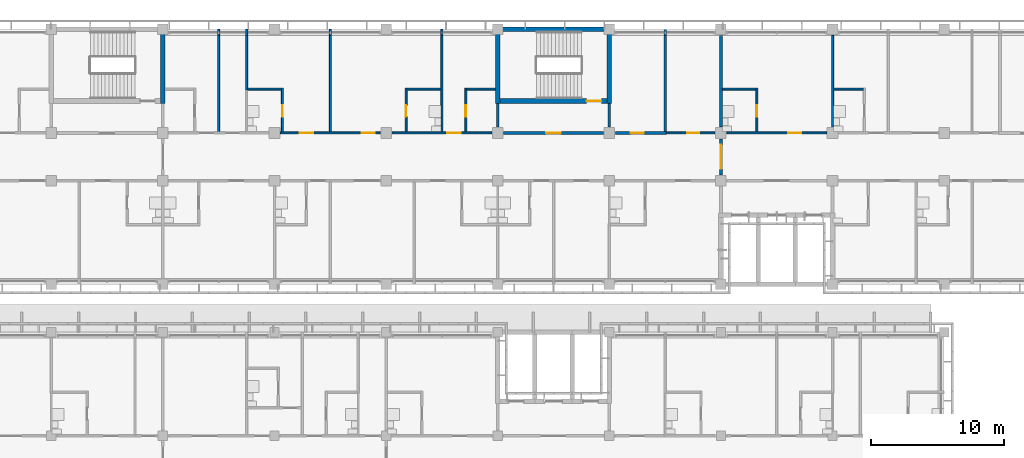
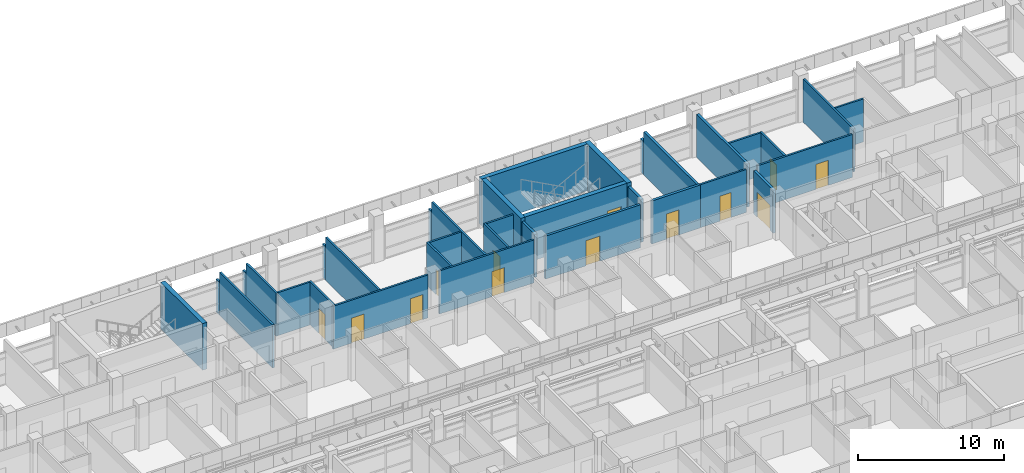
# One storey, part 38 of 71: 35 walls, 13 doors, 13 openings.
"""IFC4 building model written with IfcOpenShell, lengths in metres."""

from ifc_helpers import new_model, si_unit, direction, frame, frame_2d, origin, place, context, subcontext, project, spatial, rectangle, extrude, material, layer, layer_set, type_object, element, fill, save


model = new_model("IFC4")

# Units and contexts
model_context = context("Model", 3, precision=1e-05, world=origin(), true_north=direction((0.0, 1.0)))
body_context = subcontext(model_context, "Body", "Model", "MODEL_VIEW")
ifc_project = project(units=[si_unit("LENGTHUNIT", "METRE"), si_unit("AREAUNIT", "SQUARE_METRE"), si_unit("VOLUMEUNIT", "CUBIC_METRE"), si_unit("PLANEANGLEUNIT", "RADIAN"), si_unit("MASSUNIT", "GRAM", prefix="KILO")], contexts=[model_context])

# Site, building, storey
site_placement = place(None, origin())
site = spatial("IfcSite", under=ifc_project, at=site_placement, CompositionType="ELEMENT")
building_placement = place(site_placement, origin())
building = spatial("IfcBuilding", under=site, at=building_placement, Name="Bougainvillea Quay General Hospital", CompositionType="ELEMENT")
storey_placement = place(building_placement, frame((0.0, 0.0, 24.89990234375)))
storey = spatial("IfcBuildingStorey", under=building, at=storey_placement, Name="L05", CompositionType="ELEMENT", Elevation=24.89990234375)

# Walls
ifc_material_1 = material(Name="Gypsum board partition on steel studs, insulated", Category="steel")
ifc_layer_1 = layer(ifc_material_1, 0.14990234375)
ifc_layer_set_1 = layer_set([ifc_layer_1], Name="Gypsum board partition on steel studs, insulated")
wall_type_1 = type_object("IfcWallType", Name="Partition 150 Gypsum board partition", PredefinedType="PARTITIONING", material=ifc_layer_set_1)
wall_1_placement = place(storey_placement, frame((113.39990234375, 151.875, 0.0), z_axis=(0.0, 0.0, 1.0), x_axis=(0.0, 1.0, 0.0)))
element("IfcWall", 1, at=wall_1_placement, inside=storey, type_object=wall_type_1, Name="Partition 150 mm", PredefinedType="PARTITIONING", context=body_context, shape_type="SweptSolid", body=[
    extrude(rectangle(XDim=7.27490234375, YDim=0.14990234375, at=frame_2d((3.637451171875, 0.0))), origin(), (0.0, 0.0, 1.0), 3.60009765625),
])
wall_2_placement = place(storey_placement, frame((113.39990234375, 159.14990234375, 0.0), z_axis=(0.0, 0.0, 1.0), x_axis=(0.0, 1.0, 0.0)))
element("IfcWall", 2, at=wall_2_placement, inside=storey, type_object=wall_type_1, Name="Partition 150 mm", PredefinedType="PARTITIONING", context=body_context, shape_type="SweptSolid", body=[
    extrude(rectangle(XDim=0.4501953125, YDim=0.14990234375, at=frame_2d((0.22509765625, 0.0))), origin(), (0.0, 0.0, 1.0), 2.780029296875),
])
wall_3_placement = place(storey_placement, frame((121.800048828125, 151.875, 0.0), z_axis=(0.0, 0.0, 1.0), x_axis=(0.0, 1.0, 0.0)))
element("IfcWall", 3, at=wall_3_placement, inside=storey, type_object=wall_type_1, Name="Partition 150 mm", PredefinedType="PARTITIONING", context=body_context, shape_type="SweptSolid", body=[
    extrude(rectangle(XDim=7.27490234375, YDim=0.14990234375, at=frame_2d((3.637451171875, 0.0))), origin(), (0.0, 0.0, 1.0), 3.60009765625),
])
wall_4_placement = place(storey_placement, frame((121.800048828125, 159.14990234375, 0.0), z_axis=(0.0, 0.0, 1.0), x_axis=(0.0, 1.0, 0.0)))
element("IfcWall", 4, at=wall_4_placement, inside=storey, type_object=wall_type_1, Name="Partition 150 mm", PredefinedType="PARTITIONING", context=body_context, shape_type="SweptSolid", body=[
    extrude(rectangle(XDim=0.4501953125, YDim=0.14990234375, at=frame_2d((0.22509765625, 0.0))), origin(), (0.0, 0.0, 1.0), 2.780029296875),
])
wall_5_placement = place(storey_placement, frame((130.199951171875, 151.875, 0.0), z_axis=(0.0, 0.0, 1.0), x_axis=(0.0, 1.0, 0.0)))
element("IfcWall", 5, at=wall_5_placement, inside=storey, type_object=wall_type_1, Name="Partition 150 mm", PredefinedType="PARTITIONING", context=body_context, shape_type="SweptSolid", body=[
    extrude(rectangle(XDim=7.27490234375, YDim=0.14990234375, at=frame_2d((3.637451171875, 0.0))), origin(), (0.0, 0.0, 1.0), 3.60009765625),
])
wall_6_placement = place(storey_placement, frame((130.199951171875, 159.14990234375, 0.0), z_axis=(0.0, 0.0, 1.0), x_axis=(0.0, 1.0, 0.0)))
element("IfcWall", 6, at=wall_6_placement, inside=storey, type_object=wall_type_1, Name="Partition 150 mm", PredefinedType="PARTITIONING", context=body_context, shape_type="SweptSolid", body=[
    extrude(rectangle(XDim=0.4501953125, YDim=0.14990234375, at=frame_2d((0.22509765625, 0.0))), origin(), (0.0, 0.0, 1.0), 2.780029296875),
])
wall_7_placement = place(storey_placement, frame((159.60009765625, 152.25, 0.0), z_axis=(0.0, 0.0, 1.0), x_axis=(0.0, 1.0, 0.0)))
element("IfcWall", 7, at=wall_7_placement, inside=storey, type_object=wall_type_1, Name="Partition 150 mm", PredefinedType="PARTITIONING", context=body_context, shape_type="SweptSolid", body=[
    extrude(rectangle(XDim=6.89990234375, YDim=0.14990234375, at=frame_2d((3.449951171875, 0.0))), origin(), (0.0, 0.0, 1.0), 3.60009765625),
])
wall_8_placement = place(storey_placement, frame((115.5, 155.02490234375, 0.0), z_axis=(0.0, 0.0, 1.0), x_axis=(0.0, 1.0, 0.0)))
element("IfcWall", 8, at=wall_8_placement, inside=storey, type_object=wall_type_1, Name="Partition 150 mm", PredefinedType="PARTITIONING", context=body_context, shape_type="SweptSolid", body=[
    extrude(rectangle(XDim=4.125, YDim=0.14990234375, at=frame_2d((2.0625, 0.0))), origin(), (0.0, 0.0, 1.0), 3.60009765625),
])
wall_9_placement = place(storey_placement, frame((115.5, 159.14990234375, 0.0), z_axis=(0.0, 0.0, 1.0), x_axis=(0.0, 1.0, 0.0)))
element("IfcWall", 9, at=wall_9_placement, inside=storey, type_object=wall_type_1, Name="Partition 150 mm", PredefinedType="PARTITIONING", context=body_context, shape_type="SweptSolid", body=[
    extrude(rectangle(XDim=0.4501953125, YDim=0.14990234375, at=frame_2d((0.22509765625, 0.0))), origin(), (0.0, 0.0, 1.0), 2.780029296875),
])

# Wall, opening, door
wall_10_placement = place(storey_placement, frame((118.199951171875, 151.875, 0.0), z_axis=(0.0, 0.0, 1.0), x_axis=(0.0, 1.0, 0.0)))
wall_10 = element("IfcWall", 10, at=wall_10_placement, inside=storey, type_object=wall_type_1, Name="Partition 150 mm", PredefinedType="PARTITIONING", context=body_context, shape_type="SweptSolid", body=[
    extrude(rectangle(XDim=3.300048828125, YDim=0.14990234375, at=frame_2d((1.64990234375, 0.0))), origin(), (0.0, 0.0, 1.0), 3.60009765625),
])
opening_1_placement = place(wall_10_placement, frame((1.125, 0.0, 0.0)))
opening_1 = element("IfcOpeningElement", 11, at=opening_1_placement, cuts=wall_10, Name="Opening L05.047", PredefinedType="OPENING", context=body_context, shape_type="SweptSolid", body=[
    extrude(rectangle(XDim=0.89990234375, YDim=2.10009765625, at=frame_2d((0.449951171875, 1.050048828125))), frame((0.0, 0.0849609375, 0.0), z_axis=(0.0, -1.0, 0.0), x_axis=(1.0, 0.0, 0.0)), (0.0, 0.0, 1.0), 0.169921875),
])
ifc_material_2 = material(Name="Solid-core timber door leaf in steel frame", Category="steel")
door_type_1 = type_object("IfcDoorType", Name="Single leaf door 900x2100", OperationType="NOTDEFINED", PredefinedType="DOOR", material=ifc_material_2)
door_1_placement = place(opening_1_placement, origin())
door_1 = element("IfcDoor", 12, at=door_1_placement, inside=storey, type_object=door_type_1, Name="DT07 L05.047", OperationType="SINGLE_SWING_LEFT", OverallHeight=2.10009765625, OverallWidth=0.89990234375, PredefinedType="DOOR", context=body_context, shape_type="SweptSolid", body=[
    extrude(rectangle(XDim=0.89990234375, YDim=2.10009765625, at=frame_2d((0.449951171875, 1.050048828125))), frame((0.0, 0.02490234375, 0.0), z_axis=(0.0, -1.0, 0.0), x_axis=(1.0, 0.0, 0.0)), (0.0, 0.0, 1.0), 0.050048828125),
])
fill(opening_1, door_1)

wall_11_placement = place(storey_placement, frame((127.5, 151.875, 0.0), z_axis=(0.0, 0.0, 1.0), x_axis=(0.0, 1.0, 0.0)))
wall_11 = element("IfcWall", 13, at=wall_11_placement, inside=storey, type_object=wall_type_1, Name="Partition 150 mm", PredefinedType="PARTITIONING", context=body_context, shape_type="SweptSolid", body=[
    extrude(rectangle(XDim=3.300048828125, YDim=0.14990234375, at=frame_2d((1.64990234375, 0.0))), origin(), (0.0, 0.0, 1.0), 3.60009765625),
])
opening_2_placement = place(wall_11_placement, frame((1.125, 0.0, 0.0)))
opening_2 = element("IfcOpeningElement", 14, at=opening_2_placement, cuts=wall_11, Name="Opening L05.049", PredefinedType="OPENING", context=body_context, shape_type="SweptSolid", body=[
    extrude(rectangle(XDim=0.89990234375, YDim=2.10009765625, at=frame_2d((0.449951171875, 1.050048828125))), frame((0.0, 0.0849609375, 0.0), z_axis=(0.0, -1.0, 0.0), x_axis=(1.0, 0.0, 0.0)), (0.0, 0.0, 1.0), 0.169921875),
])
door_2_placement = place(opening_2_placement, frame((0.89990234375, 0.0, 0.0), z_axis=(0.0, 0.0, 1.0), x_axis=(-1.0, 0.0, 0.0)))
door_2 = element("IfcDoor", 15, at=door_2_placement, inside=storey, type_object=door_type_1, Name="DT07 L05.049", OperationType="SINGLE_SWING_RIGHT", OverallHeight=2.10009765625, OverallWidth=0.89990234375, PredefinedType="DOOR", context=body_context, shape_type="SweptSolid", body=[
    extrude(rectangle(XDim=0.89990234375, YDim=2.10009765625, at=frame_2d((0.449951171875, 1.050048828125))), frame((0.0, 0.02490234375, 0.0), z_axis=(0.0, -1.0, 0.0), x_axis=(1.0, 0.0, 0.0)), (0.0, 0.0, 1.0), 0.050048828125),
])
fill(opening_2, door_2)

wall_12_placement = place(storey_placement, frame((132.0, 151.875, 0.0), z_axis=(0.0, 0.0, 1.0), x_axis=(0.0, 1.0, 0.0)))
wall_12 = element("IfcWall", 16, at=wall_12_placement, inside=storey, type_object=wall_type_1, Name="Partition 150 mm", PredefinedType="PARTITIONING", context=body_context, shape_type="SweptSolid", body=[
    extrude(rectangle(XDim=3.300048828125, YDim=0.14990234375, at=frame_2d((1.64990234375, 0.0))), origin(), (0.0, 0.0, 1.0), 3.60009765625),
])
opening_3_placement = place(wall_12_placement, frame((1.125, 0.0, 0.0)))
opening_3 = element("IfcOpeningElement", 17, at=opening_3_placement, cuts=wall_12, Name="Opening L05.051", PredefinedType="OPENING", context=body_context, shape_type="SweptSolid", body=[
    extrude(rectangle(XDim=0.89990234375, YDim=2.10009765625, at=frame_2d((0.449951171875, 1.050048828125))), frame((0.0, 0.0849609375, 0.0), z_axis=(0.0, -1.0, 0.0), x_axis=(1.0, 0.0, 0.0)), (0.0, 0.0, 1.0), 0.169921875),
])
door_3_placement = place(opening_3_placement, frame((0.89990234375, 0.0, 0.0), z_axis=(0.0, 0.0, 1.0), x_axis=(-1.0, 0.0, 0.0)))
door_3 = element("IfcDoor", 18, at=door_3_placement, inside=storey, type_object=door_type_1, Name="DT07 L05.051", OperationType="SINGLE_SWING_RIGHT", OverallHeight=2.10009765625, OverallWidth=0.89990234375, PredefinedType="DOOR", context=body_context, shape_type="SweptSolid", body=[
    extrude(rectangle(XDim=0.89990234375, YDim=2.10009765625, at=frame_2d((0.449951171875, 1.050048828125))), frame((0.0, 0.02490234375, 0.0), z_axis=(0.0, -1.0, 0.0), x_axis=(1.0, 0.0, 0.0)), (0.0, 0.0, 1.0), 0.050048828125),
])
fill(opening_3, door_3)

wall_13_placement = place(storey_placement, frame((153.89990234375, 151.875, 0.0), z_axis=(0.0, 0.0, 1.0), x_axis=(0.0, 1.0, 0.0)))
wall_13 = element("IfcWall", 19, at=wall_13_placement, inside=storey, type_object=wall_type_1, Name="Partition 150 mm", PredefinedType="PARTITIONING", context=body_context, shape_type="SweptSolid", body=[
    extrude(rectangle(XDim=3.300048828125, YDim=0.14990234375, at=frame_2d((1.64990234375, 0.0))), origin(), (0.0, 0.0, 1.0), 3.60009765625),
])
opening_4_placement = place(wall_13_placement, frame((1.125, 0.0, 0.0)))
opening_4 = element("IfcOpeningElement", 20, at=opening_4_placement, cuts=wall_13, Name="Opening L05.054", PredefinedType="OPENING", context=body_context, shape_type="SweptSolid", body=[
    extrude(rectangle(XDim=0.89990234375, YDim=2.10009765625, at=frame_2d((0.449951171875, 1.050048828125))), frame((0.0, 0.0849609375, 0.0), z_axis=(0.0, -1.0, 0.0), x_axis=(1.0, 0.0, 0.0)), (0.0, 0.0, 1.0), 0.169921875),
])
door_4_placement = place(opening_4_placement, origin())
door_4 = element("IfcDoor", 21, at=door_4_placement, inside=storey, type_object=door_type_1, Name="DT07 L05.054", OperationType="SINGLE_SWING_LEFT", OverallHeight=2.10009765625, OverallWidth=0.89990234375, PredefinedType="DOOR", context=body_context, shape_type="SweptSolid", body=[
    extrude(rectangle(XDim=0.89990234375, YDim=2.10009765625, at=frame_2d((0.449951171875, 1.050048828125))), frame((0.0, 0.02490234375, 0.0), z_axis=(0.0, -1.0, 0.0), x_axis=(1.0, 0.0, 0.0)), (0.0, 0.0, 1.0), 0.050048828125),
])
fill(opening_4, door_4)

# Walls
wall_14_placement = place(storey_placement, frame((151.300048828125, 155.10009765625, 0.0), z_axis=(0.0, 0.0, 1.0), x_axis=(1.0, 0.0, 0.0)))
element("IfcWall", 22, at=wall_14_placement, inside=storey, type_object=wall_type_1, Name="Partition 150 mm", PredefinedType="PARTITIONING", context=body_context, shape_type="SweptSolid", body=[
    extrude(rectangle(XDim=2.52490234375, YDim=0.14990234375, at=frame_2d((1.262451171875, 0.0))), origin(), (0.0, 0.0, 1.0), 3.60009765625),
])
for number, where, z_axis, x_axis, name in (
    (23, (115.574951171875, 155.10009765625, 0.0), (0.0, 0.0, 1.0), (1.0, 0.0, 0.0), "Partition 150 mm"),
    (24, (127.574951171875, 155.10009765625, 0.0), (0.0, 0.0, 1.0), (1.0, 0.0, 0.0), "Partition 150 mm"),
):
    element("IfcWall", number, at=place(storey_placement, frame(where, z_axis=z_axis, x_axis=x_axis)), inside=storey, type_object=wall_type_1, Name=name, PredefinedType="PARTITIONING", context=body_context, shape_type="SweptSolid", body=[
        extrude(rectangle(XDim=2.550048828125, YDim=0.14990234375, at=frame_2d((1.27490234375, 0.0))), origin(), (0.0, 0.0, 1.0), 3.60009765625),
    ])
wall_15_placement = place(storey_placement, frame((132.074951171875, 155.10009765625, 0.0), z_axis=(0.0, 0.0, 1.0), x_axis=(1.0, 0.0, 0.0)))
element("IfcWall", 25, at=wall_15_placement, inside=storey, type_object=wall_type_1, Name="Partition 150 mm", PredefinedType="PARTITIONING", context=body_context, shape_type="SweptSolid", body=[
    extrude(rectangle(XDim=2.150146484375, YDim=0.14990234375, at=frame_2d((1.0751953125, 0.0))), origin(), (0.0, 0.0, 1.0), 3.60009765625),
])
wall_16_placement = place(storey_placement, frame((159.675048828125, 155.10009765625, 0.0), z_axis=(0.0, 0.0, 1.0), x_axis=(1.0, 0.0, 0.0)))
element("IfcWall", 26, at=wall_16_placement, inside=storey, type_object=wall_type_1, Name="Partition 150 mm", PredefinedType="PARTITIONING", context=body_context, shape_type="SweptSolid", body=[
    extrude(rectangle(XDim=2.25, YDim=0.14990234375, at=frame_2d((1.125, 0.0))), origin(), (0.0, 0.0, 1.0), 3.60009765625),
])

# Wall, opening, door
ifc_layer_2 = layer(ifc_material_1, 0.14990234375)
ifc_layer_set_2 = layer_set([ifc_layer_2], Name="Gypsum board partition on steel studs, insulated")
wall_type_2 = type_object("IfcWallType", Name="Partition 150 Gypsum board partition EI 30", PredefinedType="PARTITIONING", material=ifc_layer_set_2)
wall_17_placement = place(storey_placement, frame((133.949951171875, 151.800048828125, 0.0), z_axis=(0.0, 0.0, 1.0), x_axis=(-1.0, 0.0, 0.0)))
wall_17 = element("IfcWall", 27, at=wall_17_placement, inside=storey, type_object=wall_type_2, Name="Partition 150 mm EI 30", PredefinedType="PARTITIONING", context=body_context, shape_type="SweptSolid", body=[
    extrude(rectangle(XDim=7.5, YDim=0.14990234375, at=frame_2d((3.75, 0.0))), origin(), (0.0, 0.0, 1.0), 3.60009765625),
])
opening_5_placement = place(wall_17_placement, frame((2.35009765625, 0.0, 0.0)))
opening_5 = element("IfcOpeningElement", 28, at=opening_5_placement, cuts=wall_17, Name="Opening L05.050", PredefinedType="OPENING", context=body_context, shape_type="SweptSolid", body=[
    extrude(rectangle(XDim=1.0, YDim=2.10009765625, at=frame_2d((0.5, 1.050048828125))), frame((0.0, 0.0849609375, 0.0), z_axis=(0.0, -1.0, 0.0), x_axis=(1.0, 0.0, 0.0)), (0.0, 0.0, 1.0), 0.169921875),
])
door_type_2 = type_object("IfcDoorType", Name="Single leaf door 1000x2100 FD30S", OperationType="NOTDEFINED", PredefinedType="DOOR", material=ifc_material_2)
door_5_placement = place(opening_5_placement, frame((1.0, 0.0, 0.0), z_axis=(0.0, 0.0, 1.0), x_axis=(-1.0, 0.0, 0.0)))
door_5 = element("IfcDoor", 29, at=door_5_placement, inside=storey, type_object=door_type_2, Name="DT15 L05.050", OperationType="SINGLE_SWING_RIGHT", OverallHeight=2.10009765625, OverallWidth=1.0, PredefinedType="DOOR", context=body_context, shape_type="SweptSolid", body=[
    extrude(rectangle(XDim=1.0, YDim=2.10009765625, at=frame_2d((0.5, 1.050048828125))), frame((0.0, 0.02490234375, 0.0), z_axis=(0.0, -1.0, 0.0), x_axis=(1.0, 0.0, 0.0)), (0.0, 0.0, 1.0), 0.050048828125),
])
fill(opening_5, door_5)

# Wall, openings, doors
wall_18_placement = place(storey_placement, frame((125.550048828125, 151.800048828125, 0.0), z_axis=(0.0, 0.0, 1.0), x_axis=(-1.0, 0.0, 0.0)))
wall_18 = element("IfcWall", 30, at=wall_18_placement, inside=storey, type_object=wall_type_2, Name="Partition 150 mm EI 30", PredefinedType="PARTITIONING", context=body_context, shape_type="SweptSolid", body=[
    extrude(rectangle(XDim=7.5, YDim=0.14990234375, at=frame_2d((3.75, 0.0))), origin(), (0.0, 0.0, 1.0), 3.60009765625),
])
opening_6_placement = place(wall_18_placement, frame((5.050048828125, 0.0, 0.0)))
opening_6 = element("IfcOpeningElement", 31, at=opening_6_placement, cuts=wall_18, Name="Opening L05.046", PredefinedType="OPENING", context=body_context, shape_type="SweptSolid", body=[
    extrude(rectangle(XDim=1.0, YDim=2.10009765625, at=frame_2d((0.5, 1.050048828125))), frame((0.0, 0.0849609375, 0.0), z_axis=(0.0, -1.0, 0.0), x_axis=(1.0, 0.0, 0.0)), (0.0, 0.0, 1.0), 0.169921875),
])
opening_7_placement = place(wall_18_placement, frame((0.39990234375, 0.0, 0.0)))
opening_7 = element("IfcOpeningElement", 32, at=opening_7_placement, cuts=wall_18, Name="Opening L05.048", PredefinedType="OPENING", context=body_context, shape_type="SweptSolid", body=[
    extrude(rectangle(XDim=1.0, YDim=2.10009765625, at=frame_2d((0.5, 1.050048828125))), frame((0.0, 0.0849609375, 0.0), z_axis=(0.0, -1.0, 0.0), x_axis=(1.0, 0.0, 0.0)), (0.0, 0.0, 1.0), 0.169921875),
])
door_6_placement = place(opening_6_placement, frame((1.0, 0.0, 0.0), z_axis=(0.0, 0.0, 1.0), x_axis=(-1.0, 0.0, 0.0)))
door_6 = element("IfcDoor", 33, at=door_6_placement, inside=storey, type_object=door_type_2, Name="DT15 L05.046", OperationType="SINGLE_SWING_LEFT", OverallHeight=2.10009765625, OverallWidth=1.0, PredefinedType="DOOR", context=body_context, shape_type="SweptSolid", body=[
    extrude(rectangle(XDim=1.0, YDim=2.10009765625, at=frame_2d((0.5, 1.050048828125))), frame((0.0, 0.02490234375, 0.0), z_axis=(0.0, -1.0, 0.0), x_axis=(1.0, 0.0, 0.0)), (0.0, 0.0, 1.0), 0.050048828125),
])
fill(opening_6, door_6)
door_7_placement = place(opening_7_placement, frame((1.0, 0.0, 0.0), z_axis=(0.0, 0.0, 1.0), x_axis=(-1.0, 0.0, 0.0)))
door_7 = element("IfcDoor", 34, at=door_7_placement, inside=storey, type_object=door_type_2, Name="DT15 L05.048", OperationType="SINGLE_SWING_RIGHT", OverallHeight=2.10009765625, OverallWidth=1.0, PredefinedType="DOOR", context=body_context, shape_type="SweptSolid", body=[
    extrude(rectangle(XDim=1.0, YDim=2.10009765625, at=frame_2d((0.5, 1.050048828125))), frame((0.0, 0.02490234375, 0.0), z_axis=(0.0, -1.0, 0.0), x_axis=(1.0, 0.0, 0.0)), (0.0, 0.0, 1.0), 0.050048828125),
])
fill(opening_7, door_7)

# Wall, opening, door
wall_19_placement = place(storey_placement, frame((159.14990234375, 151.800048828125, 0.0), z_axis=(0.0, 0.0, 1.0), x_axis=(-1.0, 0.0, 0.0)))
wall_19 = element("IfcWall", 35, at=wall_19_placement, inside=storey, type_object=wall_type_2, Name="Partition 150 mm EI 30", PredefinedType="PARTITIONING", context=body_context, shape_type="SweptSolid", body=[
    extrude(rectangle(XDim=7.5, YDim=0.14990234375, at=frame_2d((3.75, 0.0))), origin(), (0.0, 0.0, 1.0), 3.60009765625),
])
opening_8_placement = place(wall_19_placement, frame((1.89990234375, 0.0, 0.0)))
opening_8 = element("IfcOpeningElement", 36, at=opening_8_placement, cuts=wall_19, Name="Opening L05.053", PredefinedType="OPENING", context=body_context, shape_type="SweptSolid", body=[
    extrude(rectangle(XDim=1.0, YDim=2.10009765625, at=frame_2d((0.5, 1.050048828125))), frame((0.0, 0.0849609375, 0.0), z_axis=(0.0, -1.0, 0.0), x_axis=(1.0, 0.0, 0.0)), (0.0, 0.0, 1.0), 0.169921875),
])
door_8_placement = place(opening_8_placement, frame((1.0, 0.0, 0.0), z_axis=(0.0, 0.0, 1.0), x_axis=(-1.0, 0.0, 0.0)))
door_8 = element("IfcDoor", 37, at=door_8_placement, inside=storey, type_object=door_type_2, Name="DT15 L05.053", OperationType="SINGLE_SWING_RIGHT", OverallHeight=2.10009765625, OverallWidth=1.0, PredefinedType="DOOR", context=body_context, shape_type="SweptSolid", body=[
    extrude(rectangle(XDim=1.0, YDim=2.10009765625, at=frame_2d((0.5, 1.050048828125))), frame((0.0, 0.02490234375, 0.0), z_axis=(0.0, -1.0, 0.0), x_axis=(1.0, 0.0, 0.0)), (0.0, 0.0, 1.0), 0.050048828125),
])
fill(opening_8, door_8)

ifc_layer_3 = layer(ifc_material_1, 0.14990234375)
ifc_layer_set_3 = layer_set([ifc_layer_3], Name="Gypsum board partition on steel studs, insulated")
wall_type_3 = type_object("IfcWallType", Name="Partition 150 Gypsum board partition EI 60", PredefinedType="PARTITIONING", material=ifc_layer_set_3)
wall_20_placement = place(storey_placement, frame((147.10009765625, 151.800048828125, 0.0), z_axis=(0.0, 0.0, 1.0), x_axis=(1.0, 0.0, 0.0)))
wall_20 = element("IfcWall", 38, at=wall_20_placement, inside=storey, type_object=wall_type_3, Name="Partition 150 mm EI 60", PredefinedType="PARTITIONING", context=body_context, shape_type="SweptSolid", body=[
    extrude(rectangle(XDim=3.64990234375, YDim=0.14990234375, at=frame_2d((1.824951171875, 0.0))), origin(), (0.0, 0.0, 1.0), 3.60009765625),
])
opening_9_placement = place(wall_20_placement, frame((1.550048828125, 0.0, 0.0)))
opening_9 = element("IfcOpeningElement", 39, at=opening_9_placement, cuts=wall_20, Name="Opening L05.052", PredefinedType="OPENING", context=body_context, shape_type="SweptSolid", body=[
    extrude(rectangle(XDim=0.89990234375, YDim=2.10009765625, at=frame_2d((0.449951171875, 1.050048828125))), frame((0.0, 0.0849609375, 0.0), z_axis=(0.0, -1.0, 0.0), x_axis=(1.0, 0.0, 0.0)), (0.0, 0.0, 1.0), 0.169921875),
])
door_type_3 = type_object("IfcDoorType", Name="Single leaf door 900x2100 FD60", OperationType="NOTDEFINED", PredefinedType="DOOR", material=ifc_material_2)
door_9_placement = place(opening_9_placement, origin())
door_9 = element("IfcDoor", 40, at=door_9_placement, inside=storey, type_object=door_type_3, Name="DT18 L05.052", OperationType="SINGLE_SWING_RIGHT", OverallHeight=2.10009765625, OverallWidth=0.89990234375, PredefinedType="DOOR", context=body_context, shape_type="SweptSolid", body=[
    extrude(rectangle(XDim=0.89990234375, YDim=2.10009765625, at=frame_2d((0.449951171875, 1.050048828125))), frame((0.0, 0.02490234375, 0.0), z_axis=(0.0, -1.0, 0.0), x_axis=(1.0, 0.0, 0.0)), (0.0, 0.0, 1.0), 0.050048828125),
])
fill(opening_9, door_9)

# Wall
ifc_material_3 = material(Name="Fire-rated autoclaved aerated block wall, plastered")
ifc_layer_4 = layer(ifc_material_3, 0.199951171875)
ifc_layer_set_4 = layer_set([ifc_layer_4], Name="Fire-rated autoclaved aerated block wall, plastered")
wall_type_4 = type_object("IfcWallType", Name="Partition 200 Fire-rated autoclaved aerated block wall EI 120", PredefinedType="SOLIDWALL", material=ifc_layer_set_4)
wall_21_placement = place(storey_placement, frame((151.199951171875, 159.14990234375, 0.0), z_axis=(0.0, 0.0, 1.0), x_axis=(0.0, -1.0, 0.0)))
element("IfcWall", 41, at=wall_21_placement, inside=storey, type_object=wall_type_4, Name="Partition 200 mm EI 120", PredefinedType="SOLIDWALL", context=body_context, shape_type="SweptSolid", body=[
    extrude(rectangle(XDim=6.89990234375, YDim=0.199951171875, at=frame_2d((3.449951171875, 0.0))), origin(), (0.0, 0.0, 1.0), 3.60009765625),
])

# Wall, opening, door
wall_22_placement = place(storey_placement, frame((151.199951171875, 151.35009765625, 0.0), z_axis=(0.0, 0.0, 1.0), x_axis=(0.0, -1.0, 0.0)))
wall_22 = element("IfcWall", 42, at=wall_22_placement, inside=storey, type_object=wall_type_4, Name="Partition 200 mm EI 120", PredefinedType="SOLIDWALL", context=body_context, shape_type="SweptSolid", body=[
    extrude(rectangle(XDim=2.7001953125, YDim=0.199951171875, at=frame_2d((1.35009765625, 0.0))), origin(), (0.0, 0.0, 1.0), 3.60009765625),
])
opening_10_placement = place(wall_22_placement, frame((0.449951171875, 0.0, 0.0)))
opening_10 = element("IfcOpeningElement", 43, at=opening_10_placement, cuts=wall_22, Name="Opening L05.003", PredefinedType="OPENING", context=body_context, shape_type="SweptSolid", body=[
    extrude(rectangle(XDim=1.800048828125, YDim=2.10009765625, at=frame_2d((0.89990234375, 1.050048828125))), frame((0.0, 0.10986328125, 0.0), z_axis=(0.0, -1.0, 0.0), x_axis=(1.0, 0.0, 0.0)), (0.0, 0.0, 1.0), 0.219970703125),
])
ifc_material_4 = material(Name="Steel fire door leaves in steel frame", Category="steel")
door_type_4 = type_object("IfcDoorType", Name="Steel double leaf door 1800x2100 FD90", OperationType="DOUBLE_DOOR_SINGLE_SWING", PredefinedType="DOOR", material=ifc_material_4)
door_10_placement = place(opening_10_placement, origin())
door_10 = element("IfcDoor", 44, at=door_10_placement, inside=storey, type_object=door_type_4, Name="DT03 L05.003", OperationType="DOUBLE_DOOR_SINGLE_SWING", OverallHeight=2.10009765625, OverallWidth=1.800048828125, PredefinedType="DOOR", context=body_context, shape_type="SweptSolid", body=[
    extrude(rectangle(XDim=1.800048828125, YDim=2.10009765625, at=frame_2d((0.89990234375, 1.050048828125))), frame((0.0, 0.02490234375, 0.0), z_axis=(0.0, -1.0, 0.0), x_axis=(1.0, 0.0, 0.0)), (0.0, 0.0, 1.0), 0.050048828125),
])
fill(opening_10, door_10)

wall_23_placement = place(storey_placement, frame((134.85009765625, 151.800048828125, 0.0), z_axis=(0.0, 0.0, 1.0), x_axis=(1.0, 0.0, 0.0)))
wall_23 = element("IfcWall", 45, at=wall_23_placement, inside=storey, type_object=wall_type_4, Name="Partition 200 mm EI 120", PredefinedType="SOLIDWALL", context=body_context, shape_type="SweptSolid", body=[
    extrude(rectangle(XDim=7.5, YDim=0.199951171875, at=frame_2d((3.75, 0.0))), origin(), (0.0, 0.0, 1.0), 3.60009765625),
])
opening_11_placement = place(wall_23_placement, frame((3.199951171875, 0.0, 0.0)))
opening_11 = element("IfcOpeningElement", 46, at=opening_11_placement, cuts=wall_23, Name="Opening L05.154", PredefinedType="OPENING", context=body_context, shape_type="SweptSolid", body=[
    extrude(rectangle(XDim=1.10009765625, YDim=2.10009765625, at=frame_2d((0.550048828125, 1.050048828125))), frame((0.0, 0.10986328125, 0.0), z_axis=(0.0, -1.0, 0.0), x_axis=(1.0, 0.0, 0.0)), (0.0, 0.0, 1.0), 0.219970703125),
])
ifc_material_5 = material(Name="Steel fire door leaf in steel frame", Category="steel")
door_type_5 = type_object("IfcDoorType", Name="Steel single leaf door 1100x2100 FD60", OperationType="NOTDEFINED", PredefinedType="DOOR", material=ifc_material_5)
door_11_placement = place(opening_11_placement, origin())
door_11 = element("IfcDoor", 47, at=door_11_placement, inside=storey, type_object=door_type_5, Name="DT04 L05.154", OperationType="SINGLE_SWING_RIGHT", OverallHeight=2.10009765625, OverallWidth=1.10009765625, PredefinedType="DOOR", context=body_context, shape_type="SweptSolid", body=[
    extrude(rectangle(XDim=1.10009765625, YDim=2.10009765625, at=frame_2d((0.550048828125, 1.050048828125))), frame((0.0, 0.02490234375, 0.0), z_axis=(0.0, -1.0, 0.0), x_axis=(1.0, 0.0, 0.0)), (0.0, 0.0, 1.0), 0.050048828125),
])
fill(opening_11, door_11)

wall_24_placement = place(storey_placement, frame((143.25, 151.800048828125, 0.0), z_axis=(0.0, 0.0, 1.0), x_axis=(1.0, 0.0, 0.0)))
wall_24 = element("IfcWall", 48, at=wall_24_placement, inside=storey, type_object=wall_type_4, Name="Partition 200 mm EI 120", PredefinedType="SOLIDWALL", context=body_context, shape_type="SweptSolid", body=[
    extrude(rectangle(XDim=3.85009765625, YDim=0.199951171875, at=frame_2d((1.925048828125, 0.0))), origin(), (0.0, 0.0, 1.0), 3.60009765625),
])
opening_12_placement = place(wall_24_placement, frame((1.14990234375, 0.0, 0.0)))
opening_12 = element("IfcOpeningElement", 49, at=opening_12_placement, cuts=wall_24, Name="Opening L05.070", PredefinedType="OPENING", context=body_context, shape_type="SweptSolid", body=[
    extrude(rectangle(XDim=1.0, YDim=2.10009765625, at=frame_2d((0.5, 1.050048828125))), frame((0.0, 0.10986328125, 0.0), z_axis=(0.0, -1.0, 0.0), x_axis=(1.0, 0.0, 0.0)), (0.0, 0.0, 1.0), 0.219970703125),
])
door_type_6 = type_object("IfcDoorType", Name="Steel single leaf door 1000x2100 FD90", OperationType="NOTDEFINED", PredefinedType="DOOR", material=ifc_material_5)
door_12_placement = place(opening_12_placement, origin())
door_12 = element("IfcDoor", 50, at=door_12_placement, inside=storey, type_object=door_type_6, Name="DT11 L05.070", OperationType="SINGLE_SWING_LEFT", OverallHeight=2.10009765625, OverallWidth=1.0, PredefinedType="DOOR", context=body_context, shape_type="SweptSolid", body=[
    extrude(rectangle(XDim=1.0, YDim=2.10009765625, at=frame_2d((0.5, 1.050048828125))), frame((0.0, 0.02490234375, 0.0), z_axis=(0.0, -1.0, 0.0), x_axis=(1.0, 0.0, 0.0)), (0.0, 0.0, 1.0), 0.050048828125),
])
fill(opening_12, door_12)

# Walls
wall_25_placement = place(storey_placement, frame((142.800048828125, 152.25, 0.0), z_axis=(0.0, 0.0, 1.0), x_axis=(0.0, 1.0, 0.0)))
element("IfcWall", 51, at=wall_25_placement, inside=storey, type_object=wall_type_4, Name="Partition 200 mm EI 120", PredefinedType="SOLIDWALL", context=body_context, shape_type="SweptSolid", body=[
    extrude(rectangle(XDim=1.77490234375, YDim=0.199951171875, at=frame_2d((0.887451171875, 0.0))), origin(), (0.0, 0.0, 1.0), 3.60009765625),
])
wall_26_placement = place(storey_placement, frame((147.0, 151.89990234375, 0.0), z_axis=(0.0, 0.0, 1.0), x_axis=(0.0, 1.0, 0.0)))
element("IfcWall", 52, at=wall_26_placement, inside=storey, type_object=wall_type_4, Name="Partition 200 mm EI 120", PredefinedType="SOLIDWALL", context=body_context, shape_type="SweptSolid", body=[
    extrude(rectangle(XDim=7.25, YDim=0.199951171875, at=frame_2d((3.625, 0.0))), origin(), (0.0, 0.0, 1.0), 3.60009765625),
])
wall_27_placement = place(storey_placement, frame((147.0, 159.14990234375, 0.0), z_axis=(0.0, 0.0, 1.0), x_axis=(0.0, 1.0, 0.0)))
element("IfcWall", 53, at=wall_27_placement, inside=storey, type_object=wall_type_4, Name="Partition 200 mm EI 120", PredefinedType="SOLIDWALL", context=body_context, shape_type="SweptSolid", body=[
    extrude(rectangle(XDim=0.4501953125, YDim=0.199951171875, at=frame_2d((0.22509765625, 0.0))), origin(), (0.0, 0.0, 1.0), 2.780029296875),
])
wall_28_placement = place(storey_placement, frame((134.39990234375, 152.25, 0.0), z_axis=(0.0, 0.0, 1.0), x_axis=(0.0, 1.0, 0.0)))
element("IfcWall", 54, at=wall_28_placement, inside=storey, type_object=wall_type_4, Name="Partition 200 mm EI 120", PredefinedType="SOLIDWALL", context=body_context, shape_type="SweptSolid", body=[
    extrude(rectangle(XDim=1.77490234375, YDim=0.199951171875, at=frame_2d((0.887451171875, 0.0))), origin(), (0.0, 0.0, 1.0), 3.60009765625),
])
ifc_material_6 = material(Name="Concrete C40", Category="concrete")
ifc_layer_5 = layer(ifc_material_6, 0.35009765625)
ifc_layer_set_5 = layer_set([ifc_layer_5], Name="Concrete C40")
wall_type_5 = type_object("IfcWallType", Name="RC SHEAR WALL 350 C40", PredefinedType="SHEAR", material=ifc_layer_set_5)
wall_29_placement = place(storey_placement, frame((109.199951171875, 154.02490234375, 0.0), z_axis=(0.0, 0.0, 1.0), x_axis=(0.0, 1.0, 0.0)))
element("IfcWall", 55, at=wall_29_placement, inside=storey, type_object=wall_type_5, Name="Shear wall L05", PredefinedType="SHEAR", context=body_context, shape_type="SweptSolid", body=[
    extrude(rectangle(XDim=5.75, YDim=0.35009765625, at=frame_2d((2.875, 0.0))), origin(), (0.0, 0.0, 1.0), 3.900146484375),
])
wall_30_placement = place(storey_placement, frame((134.22509765625, 159.60009765625, 0.0), z_axis=(0.0, 0.0, 1.0), x_axis=(1.0, 0.0, 0.0)))
element("IfcWall", 56, at=wall_30_placement, inside=storey, type_object=wall_type_5, Name="Shear wall L05", PredefinedType="SHEAR", context=body_context, shape_type="SweptSolid", body=[
    extrude(rectangle(XDim=8.39990234375, YDim=0.35009765625, at=frame_2d((4.199951171875, 0.0))), origin(), (0.0, 0.0, 1.0), 3.900146484375),
])
wall_31_placement = place(storey_placement, frame((134.39990234375, 154.02490234375, 0.0), z_axis=(0.0, 0.0, 1.0), x_axis=(0.0, 1.0, 0.0)))
element("IfcWall", 57, at=wall_31_placement, inside=storey, type_object=wall_type_5, Name="Shear wall L05", PredefinedType="SHEAR", context=body_context, shape_type="SweptSolid", body=[
    extrude(rectangle(XDim=5.400146484375, YDim=0.35009765625, at=frame_2d((2.7001953125, 0.0))), origin(), (0.0, 0.0, 1.0), 3.900146484375),
])

# Wall, opening, door
wall_32_placement = place(storey_placement, frame((134.574951171875, 154.199951171875, 0.0), z_axis=(0.0, 0.0, 1.0), x_axis=(1.0, 0.0, 0.0)))
wall_32 = element("IfcWall", 58, at=wall_32_placement, inside=storey, type_object=wall_type_5, Name="Shear wall L05", PredefinedType="SHEAR", context=body_context, shape_type="SweptSolid", body=[
    extrude(rectangle(XDim=8.050048828125, YDim=0.35009765625, at=frame_2d((4.02490234375, 0.0))), origin(), (0.0, 0.0, 1.0), 3.900146484375),
])
opening_13_placement = place(wall_32_placement, frame((6.52490234375, 0.0, 0.0)))
opening_13 = element("IfcOpeningElement", 59, at=opening_13_placement, cuts=wall_32, Name="Opening L05.153", PredefinedType="OPENING", context=body_context, shape_type="SweptSolid", body=[
    extrude(rectangle(XDim=1.10009765625, YDim=2.10009765625, at=frame_2d((0.550048828125, 1.050048828125))), frame((0.0, 0.18505859375, 0.0), z_axis=(0.0, -1.0, 0.0), x_axis=(1.0, 0.0, 0.0)), (0.0, 0.0, 1.0), 0.3701171875),
])
door_13_placement = place(opening_13_placement, origin())
door_13 = element("IfcDoor", 60, at=door_13_placement, inside=storey, type_object=door_type_5, Name="DT04 L05.153", OperationType="SINGLE_SWING_RIGHT", OverallHeight=2.10009765625, OverallWidth=1.10009765625, PredefinedType="DOOR", context=body_context, shape_type="SweptSolid", body=[
    extrude(rectangle(XDim=1.10009765625, YDim=2.10009765625, at=frame_2d((0.550048828125, 1.050048828125))), frame((0.0, 0.02490234375, 0.0), z_axis=(0.0, -1.0, 0.0), x_axis=(1.0, 0.0, 0.0)), (0.0, 0.0, 1.0), 0.050048828125),
])
fill(opening_13, door_13)

# Wall
wall_33_placement = place(storey_placement, frame((142.800048828125, 154.02490234375, 0.0), z_axis=(0.0, 0.0, 1.0), x_axis=(0.0, 1.0, 0.0)))
element("IfcWall", 61, at=wall_33_placement, inside=storey, type_object=wall_type_5, Name="Shear wall L05", PredefinedType="SHEAR", context=body_context, shape_type="SweptSolid", body=[
    extrude(rectangle(XDim=5.75, YDim=0.35009765625, at=frame_2d((2.875, 0.0))), origin(), (0.0, 0.0, 1.0), 3.900146484375),
])

save(model, "model.ifc")
